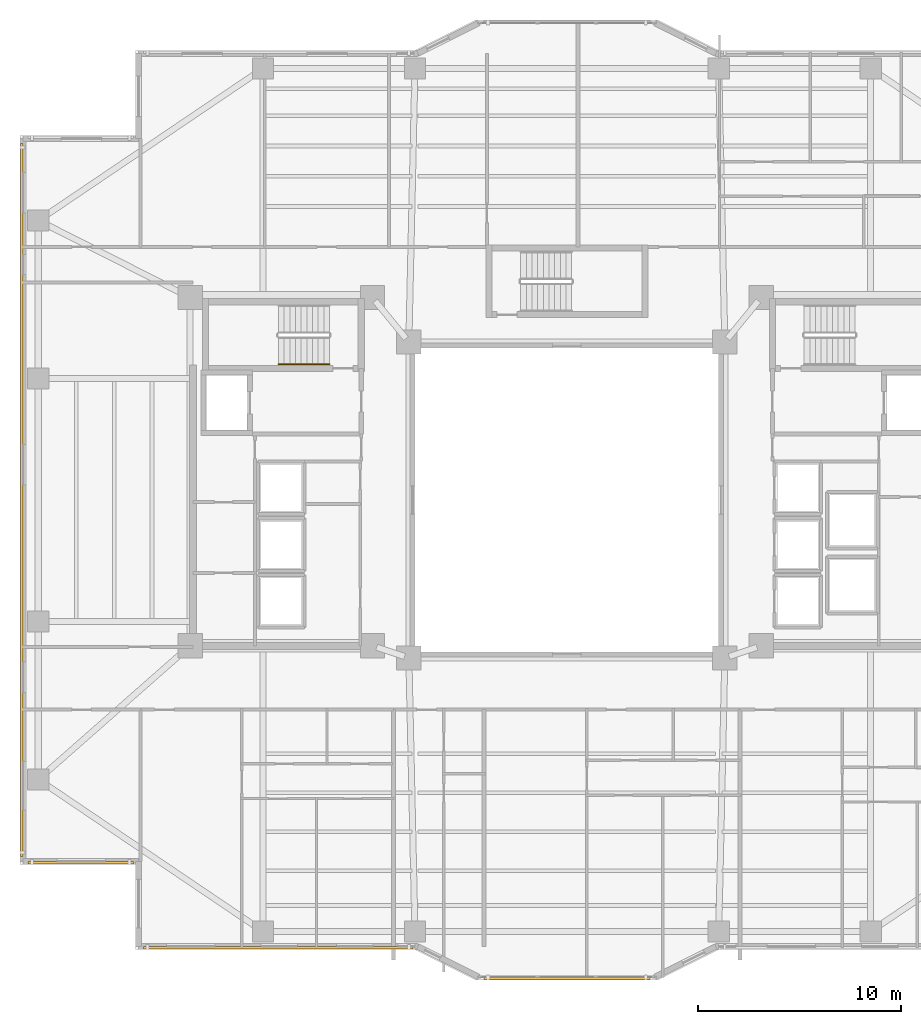
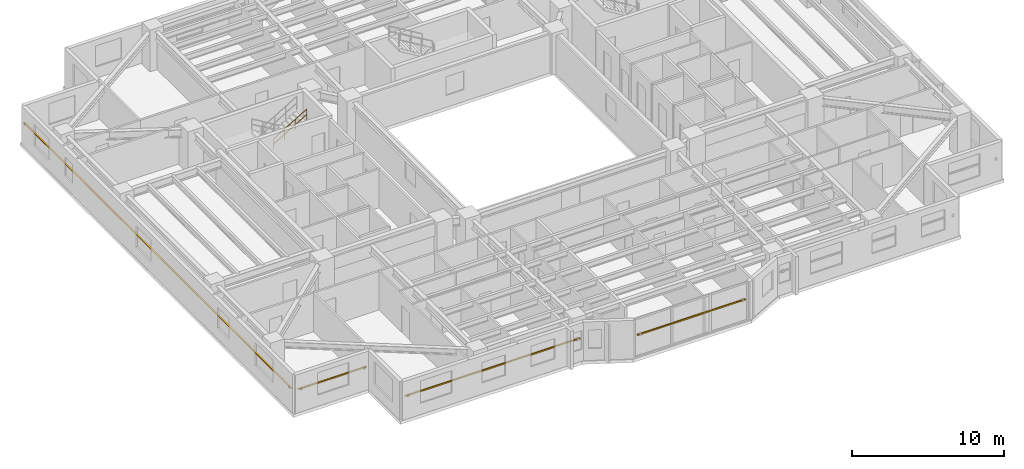
# One storey, part 14 of 18: 4 shading devices, 1 railing.
"""IFC4 building model written with IfcOpenShell, lengths in metres."""

from ifc_helpers import new_model, si_unit, direction, frame, origin, origin_2d, place, context, subcontext, project, spatial, rectangle, circle, extrude, material, material_profile, profile_set, type_object, element, save


model = new_model("IFC4")

# Units and contexts
model_context = context("Model", 3, precision=1e-05, world=origin(), true_north=direction((0.0, 1.0)))
body_context = subcontext(model_context, "Body", "Model", "MODEL_VIEW")
ifc_project = project(units=[si_unit("LENGTHUNIT", "METRE"), si_unit("AREAUNIT", "SQUARE_METRE"), si_unit("VOLUMEUNIT", "CUBIC_METRE"), si_unit("PLANEANGLEUNIT", "RADIAN"), si_unit("MASSUNIT", "GRAM", prefix="KILO")], contexts=[model_context])

# Site, building, storey
site_placement = place(None, origin())
site = spatial("IfcSite", under=ifc_project, at=site_placement, CompositionType="ELEMENT")
building_placement = place(site_placement, origin())
building = spatial("IfcBuilding", under=site, at=building_placement, Name="Tarnavaz Court Tower", CompositionType="ELEMENT")
storey_placement = place(building_placement, frame((0.0, 0.0, 88.35009765625)))
storey = spatial("IfcBuildingStorey", under=building, at=storey_placement, Name="L23", CompositionType="ELEMENT", Elevation=88.35009765625)

# Railing
ifc_material_1 = material(Name="Brushed Stainless Steel", Category="steel")
railing_type = type_object("IfcRailingType", Name="RL-HANDRAIL-900", PredefinedType="HANDRAIL", material=ifc_material_1)
railing_placement = place(storey_placement, frame((-14.239990234375, 6.699951171875, 1.84228515625)))
element("IfcRailing", 1, at=railing_placement, inside=storey, type_object=railing_type, Name="L23 ST-W1 stair handrail 2", PredefinedType="HANDRAIL", context=body_context, shape_type="SweptSolid", body=[
    extrude(circle(Radius=0.02392578125, at=origin_2d()), frame((0.0, 0.0, 0.8759765625), z_axis=(0.858159760407, 0.0, 0.513382728203), x_axis=(0.0, 1.0, 0.0)), (0.0, 0.0, 1.0), 2.9365234375),
    extrude(circle(Radius=0.02392578125, at=origin_2d()), frame((0.0, 0.0, 0.449951171875), z_axis=(0.858159760407, 0.0, 0.513382728203), x_axis=(0.0, 1.0, 0.0)), (0.0, 0.0, 1.0), 2.9365234375),
    extrude(circle(Radius=0.02099609375, at=origin_2d()), origin(), (0.0, 0.0, 1.0), 0.851806640625),
    extrude(circle(Radius=0.02099609375, at=origin_2d()), frame((0.840087890625, 0.0, 0.50244140625)), (0.0, 0.0, 1.0), 0.851806640625),
    extrude(circle(Radius=0.02099609375, at=origin_2d()), frame((1.679931640625, 0.0, 1.005126953125)), (0.0, 0.0, 1.0), 0.851806640625),
    extrude(circle(Radius=0.02099609375, at=origin_2d()), frame((2.52001953125, 0.0, 1.507568359375)), (0.0, 0.0, 1.0), 0.851806640625),
])

# Shading devices
ifc_material_2 = material(Name="Kiln-Fired Khorasan Terracotta Ceramic", Category="masonry")
ifc_material_profile = material_profile(ifc_material_2, rectangle(XDim=0.1201171875, YDim=0.06005859375, at=origin_2d()), Name="TC BAGUETTE 120X60")
ifc_profile_set = profile_set([ifc_material_profile], Name="Kiln-Fired Khorasan Terracotta Ceramic")
shading_device_type = type_object("IfcShadingDeviceType", Name="SD-BAG-120", PredefinedType="USERDEFINED", material=ifc_profile_set)
shading_device_1_placement = place(storey_placement, frame((-21.39990234375, -17.909912109375, 1.849853515625), z_axis=(-1.0, 0.0, 0.0), x_axis=(0.0, -1.0, 0.0)))
element("IfcShadingDevice", 2, at=shading_device_1_placement, inside=storey, type_object=shading_device_type, Name="L23 Terracotta Baguette Screen FBG01", ObjectType="BAGUETTE", PredefinedType="USERDEFINED", context=body_context, shape_type="SweptSolid", body=[
    extrude(rectangle(XDim=0.1201171875, YDim=0.06005859375, at=origin_2d()), origin(), (0.0, 0.0, 1.0), 5.2001953125),
])
shading_device_2_placement = place(storey_placement, frame((-26.909912109375, -17.60009765625, 1.849853515625), z_axis=(0.0, 1.0, 0.0), x_axis=(-1.0, 0.0, 0.0)))
element("IfcShadingDevice", 3, at=shading_device_2_placement, inside=storey, type_object=shading_device_type, Name="L23 Terracotta Baguette Screen FBG02", ObjectType="BAGUETTE", PredefinedType="USERDEFINED", context=body_context, shape_type="SweptSolid", body=[
    extrude(rectangle(XDim=0.1201171875, YDim=0.06005859375, at=origin_2d()), origin(), (0.0, 0.0, 1.0), 35.2001953125),
])
shading_device_3_placement = place(storey_placement, frame((4.10009765625, -23.610107421875, 1.7998046875), z_axis=(-1.0, 0.0, 0.0), x_axis=(0.0, -1.0, 0.0)))
element("IfcShadingDevice", 4, at=shading_device_3_placement, inside=storey, type_object=shading_device_type, Name="L23 Terracotta Baguette Screen PBG17", ObjectType="BAGUETTE", PredefinedType="USERDEFINED", context=body_context, shape_type="SweptSolid", body=[
    extrude(rectangle(XDim=0.1201171875, YDim=0.06005859375, at=origin_2d()), origin(), (0.0, 0.0, 1.0), 8.2001953125),
])
shading_device_4_placement = place(storey_placement, frame((-7.60009765625, -22.110107421875, 1.849853515625), z_axis=(-1.0, 0.0, 0.0), x_axis=(0.0, -1.0, 0.0)))
element("IfcShadingDevice", 5, at=shading_device_4_placement, inside=storey, type_object=shading_device_type, Name="L23 Terracotta Baguette Screen FBG19", ObjectType="BAGUETTE", PredefinedType="USERDEFINED", context=body_context, shape_type="SweptSolid", body=[
    extrude(rectangle(XDim=0.1201171875, YDim=0.06005859375, at=origin_2d()), origin(), (0.0, 0.0, 1.0), 13.2998046875),
])

save(model, "model.ifc")
